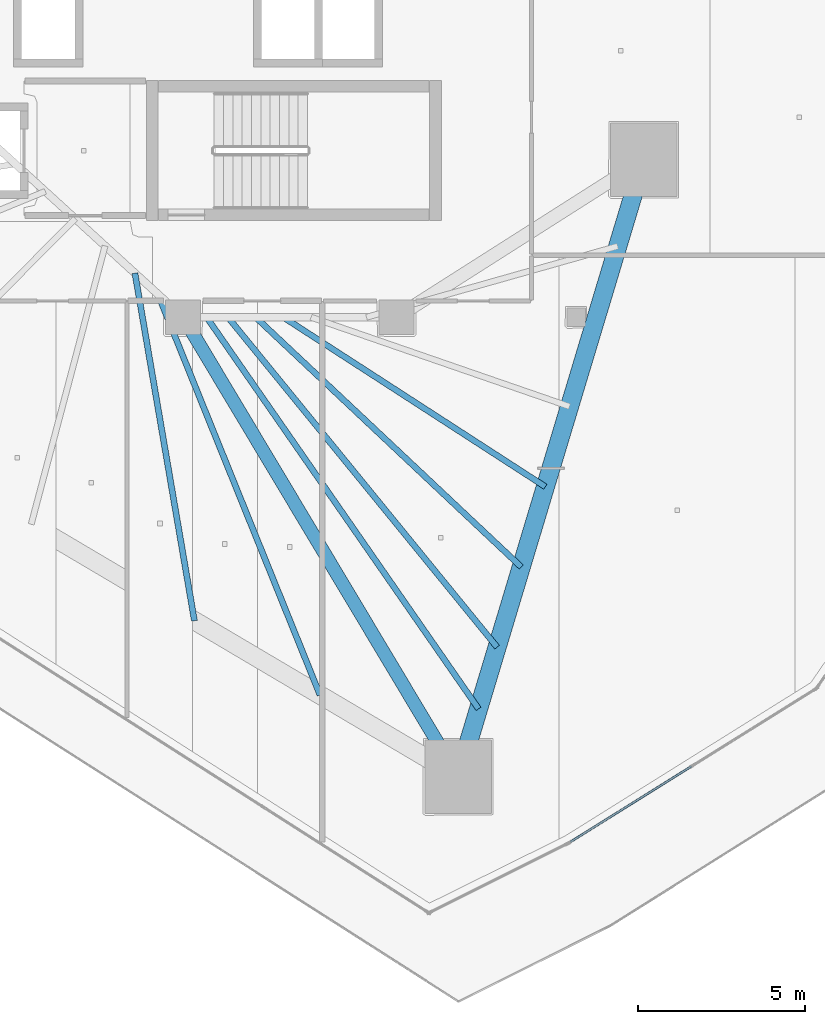
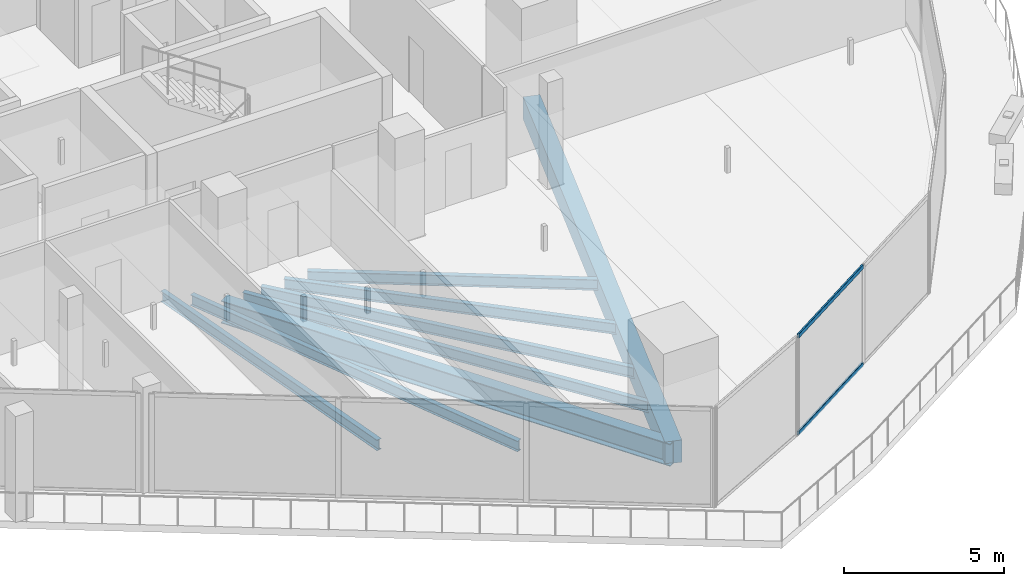
# One storey, part 9 of 39: 8 beams, 2 members, 1 element without a shape of its own.
"""IFC4 building model written with IfcOpenShell, lengths in metres."""

from ifc_helpers import new_model, si_unit, direction, frame, origin, origin_2d, place, context, subcontext, project, spatial, rectangle, hollow_rectangle, i_section, extrude, material, layer, layer_set, material_profile, profile_set, type_object, element, aggregate, save


model = new_model("IFC4")

# Units and contexts
model_context = context("Model", 3, precision=1e-05, world=origin(), true_north=direction((0.0, 1.0)))
body_context = subcontext(model_context, "Body", "Model", "MODEL_VIEW")
ifc_project = project(units=[si_unit("LENGTHUNIT", "METRE"), si_unit("AREAUNIT", "SQUARE_METRE"), si_unit("VOLUMEUNIT", "CUBIC_METRE"), si_unit("PLANEANGLEUNIT", "RADIAN"), si_unit("MASSUNIT", "GRAM", prefix="KILO")], contexts=[model_context])

# Site, building, storey
site_placement = place(None, origin())
site = spatial("IfcSite", under=ifc_project, at=site_placement, CompositionType="ELEMENT")
building_placement = place(site_placement, origin())
building = spatial("IfcBuilding", under=site, at=building_placement, Name="Qorvath Tower", CompositionType="ELEMENT")
storey_placement = place(building_placement, frame((0.0, 0.0, 162.449951171875)))
storey = spatial("IfcBuildingStorey", under=building, at=storey_placement, Name="L37", CompositionType="ELEMENT", Elevation=162.449951171875)

# Beams
ifc_material_1 = material(Name="Steel ASTM A992 Grade 50", Category="steel")
ifc_material_profile_1 = material_profile(ifc_material_1, i_section(OverallWidth=0.39892578125, OverallDepth=0.85498046875, WebThickness=0.018310546875, FlangeThickness=0.029296875, FilletRadius=0.02001953125, at=origin_2d()), Name="W33x201")
ifc_profile_set_1 = profile_set([ifc_material_profile_1], Name="Steel ASTM A992 Grade 50")
beam_type_1 = type_object("IfcBeamType", Name="BM-FG2", PredefinedType="BEAM", material=ifc_profile_set_1)
beam_1_placement = place(storey_placement, frame((-23.60009765625, -11.449951171875, -0.697509765625), z_axis=(0.513497213955, -0.85809126045, 0.0), x_axis=(0.85809126045, 0.513497213955, 0.0)))
element("IfcBeam", 1, at=beam_1_placement, inside=storey, type_object=beam_type_1, Name="Radial Floor Girder CC4-MC3 L37", PredefinedType="BEAM", context=body_context, shape_type="SweptSolid", body=[
    extrude(i_section(OverallWidth=0.39892578125, OverallDepth=0.85498046875, WebThickness=0.018310546875, FlangeThickness=0.029296875, FilletRadius=0.02001953125, at=origin_2d()), origin(), (0.0, 0.0, 1.0), 16.07763671875),
])
ifc_material_2 = material(Name="Steel ASTM A992 Grade 50", Category="steel")
ifc_material_profile_2 = material_profile(ifc_material_2, i_section(OverallWidth=0.177978515625, OverallDepth=0.406005859375, WebThickness=0.0078125, FlangeThickness=0.0126953125, FilletRadius=0.010986328125, at=origin_2d()), Name="W16x40")
ifc_profile_set_2 = profile_set([ifc_material_profile_2], Name="Steel ASTM A992 Grade 50")
beam_type_2 = type_object("IfcBeamType", Name="BM-FJ3", PredefinedType="JOIST", material=ifc_profile_set_2)
beam_2_placement = place(storey_placement, frame((-20.592041015625, -11.449951171875, -0.47314453125), z_axis=(0.839630966809, -0.543157288062, 0.0), x_axis=(0.543157288062, 0.839630966809, 0.0)))
element("IfcBeam", 2, at=beam_2_placement, inside=storey, type_object=beam_type_2, Name="Composite Floor Joist SE4 L37", PredefinedType="JOIST", context=body_context, shape_type="SweptSolid", body=[
    extrude(i_section(OverallWidth=0.177978515625, OverallDepth=0.406005859375, WebThickness=0.0078125, FlangeThickness=0.0126953125, FilletRadius=0.010986328125, at=origin_2d()), origin(), (0.0, 0.0, 1.0), 9.370361328125),
])
beam_3_placement = place(storey_placement, frame((-21.424072265625, -11.449951171875, -0.47314453125), z_axis=(0.728572459091, -0.684968737866, 0.0), x_axis=(0.684968737866, 0.728572459091, 0.0)))
element("IfcBeam", 3, at=beam_3_placement, inside=storey, type_object=beam_type_2, Name="Composite Floor Joist SE5 L37", PredefinedType="JOIST", context=body_context, shape_type="SweptSolid", body=[
    extrude(i_section(OverallWidth=0.177978515625, OverallDepth=0.406005859375, WebThickness=0.0078125, FlangeThickness=0.0126953125, FilletRadius=0.010986328125, at=origin_2d()), origin(), (0.0, 0.0, 1.0), 10.9462890625),
])
beam_4_placement = place(storey_placement, frame((-22.256103515625, -11.449951171875, -0.47314453125), z_axis=(0.632187975212, -0.774815051478, 0.0), x_axis=(0.774815051478, 0.632187975212, 0.0)))
element("IfcBeam", 4, at=beam_4_placement, inside=storey, type_object=beam_type_2, Name="Composite Floor Joist SE6 L37", PredefinedType="JOIST", context=body_context, shape_type="SweptSolid", body=[
    extrude(i_section(OverallWidth=0.177978515625, OverallDepth=0.406005859375, WebThickness=0.0078125, FlangeThickness=0.0126953125, FilletRadius=0.010986328125, at=origin_2d()), origin(), (0.0, 0.0, 1.0), 12.784912109375),
])
beam_5_placement = place(storey_placement, frame((-22.89599609375, -11.449951171875, -0.47314453125), z_axis=(0.570366725248, -0.821390162304, 0.0), x_axis=(0.821390162304, 0.570366725248, 0.0)))
element("IfcBeam", 5, at=beam_5_placement, inside=storey, type_object=beam_type_2, Name="Composite Floor Joist SE7 L37", PredefinedType="JOIST", context=body_context, shape_type="SweptSolid", body=[
    extrude(i_section(OverallWidth=0.177978515625, OverallDepth=0.406005859375, WebThickness=0.0078125, FlangeThickness=0.0126953125, FilletRadius=0.010986328125, at=origin_2d()), origin(), (0.0, 0.0, 1.0), 14.3154296875),
])
beam_6_placement = place(storey_placement, frame((-25.049072265625, -10.126953125, -0.47314453125), z_axis=(0.168745594245, -0.985659639238, 0.0), x_axis=(0.985659639238, 0.168745594245, 0.0)))
element("IfcBeam", 6, at=beam_6_placement, inside=storey, type_object=beam_type_2, Name="Composite Floor Joist SW6 L37", PredefinedType="JOIST", context=body_context, shape_type="SweptSolid", body=[
    extrude(i_section(OverallWidth=0.177978515625, OverallDepth=0.406005859375, WebThickness=0.0078125, FlangeThickness=0.0126953125, FilletRadius=0.010986328125, at=origin_2d()), origin(), (0.0, 0.0, 1.0), 10.589111328125),
])
beam_7_placement = place(storey_placement, frame((-24.35888671875, -10.757080078125, -0.47314453125), z_axis=(0.37487652097, -0.927074751045, 0.0), x_axis=(0.927074751045, 0.37487652097, 0.0)))
element("IfcBeam", 7, at=beam_7_placement, inside=storey, type_object=beam_type_2, Name="Composite Floor Joist SW7 L37", PredefinedType="JOIST", context=body_context, shape_type="SweptSolid", body=[
    extrude(i_section(OverallWidth=0.177978515625, OverallDepth=0.406005859375, WebThickness=0.0078125, FlangeThickness=0.0126953125, FilletRadius=0.010986328125, at=origin_2d()), origin(), (0.0, 0.0, 1.0), 12.9833984375),
])
ifc_material_3 = material(Name="Concrete C50/60", Category="concrete")
ifc_material_profile_3 = material_profile(ifc_material_3, rectangle(XDim=0.550048828125, YDim=0.85009765625, at=origin_2d()), Name="RCB 850x550")
ifc_profile_set_3 = profile_set([ifc_material_profile_3], Name="Concrete C50/60")
beam_type_3 = type_object("IfcBeamType", Name="BM-RCB2", PredefinedType="SPANDREL", material=ifc_profile_set_3)
beam_8_placement = place(storey_placement, frame((-15.34423828125, -25.24609375, -0.695068359375), z_axis=(0.288133952099, 0.957590113591, 0.0), x_axis=(-0.957590113591, 0.288133952099, 0.0)))
element("IfcBeam", 8, at=beam_8_placement, inside=storey, type_object=beam_type_3, Name="Perimeter Loggia Frame Beam MC3-MC4 L37", PredefinedType="SPANDREL", context=body_context, shape_type="SweptSolid", body=[
    extrude(rectangle(XDim=0.550048828125, YDim=0.85009765625, at=origin_2d()), origin(), (0.0, 0.0, 1.0), 19.344970703125),
])

# Curtain wall, members
ifc_material_4 = material(Name="Anodised aluminium and triple low-E glass", Category="aluminium")
ifc_layer = layer(ifc_material_4, 0.179931640625)
ifc_layer_set = layer_set([ifc_layer], Name="CW-SYS-3")
curtain_wall_type = type_object("IfcCurtainWallType", Name="CW-SYS-3", PredefinedType="NOTDEFINED", material=ifc_layer_set)
curtain_wall_placement = place(storey_placement, origin())
curtain_wall = element("IfcCurtainWall", 9, at=curtain_wall_placement, inside=storey, type_object=curtain_wall_type, Name="Curtain Wall CW-3 CW-T-L37-4.1", PredefinedType="NOTDEFINED")
ifc_material_5 = material(Name="Anodised aluminium 6063-T6", Category="aluminium")
ifc_material_profile_4 = material_profile(ifc_material_5, hollow_rectangle(XDim=0.06494140625, YDim=0.159912109375, WallThickness=0.00341796875, InnerFilletRadius=0.00341796875, OuterFilletRadius=0.007080078125, at=origin_2d()), Name="CWT 160x65")
ifc_profile_set_4 = profile_set([ifc_material_profile_4], Name="Anodised aluminium 6063-T6")
member_type = type_object("IfcMemberType", Name="CWT-160", PredefinedType="USERDEFINED", material=ifc_profile_set_4)
member_1_placement = place(storey_placement, frame((-11.975830078125, -27.205078125, 0.032470703125), z_axis=(0.84836895075, 0.529405443307, 0.0), x_axis=(-0.529405443307, 0.84836895075, 0.0)))
member_1 = element("IfcMember", 10, at=member_1_placement, type_object=member_type, Name="CW-3 transom 1.1", ObjectType="TRANSOM", PredefinedType="USERDEFINED", context=body_context, shape_type="SweptSolid", body=[
    extrude(hollow_rectangle(XDim=0.06494140625, YDim=0.159912109375, WallThickness=0.00341796875, InnerFilletRadius=0.00341796875, OuterFilletRadius=0.007080078125, at=origin_2d()), origin(), (0.0, 0.0, 1.0), 4.290283203125),
])
member_2_placement = place(storey_placement, frame((-11.975830078125, -27.205078125, 3.74755859375), z_axis=(0.84836895075, 0.529405443307, 0.0), x_axis=(-0.529405443307, 0.84836895075, 0.0)))
member_2 = element("IfcMember", 11, at=member_2_placement, type_object=member_type, Name="CW-3 transom 1.2", ObjectType="TRANSOM", PredefinedType="USERDEFINED", context=body_context, shape_type="SweptSolid", body=[
    extrude(hollow_rectangle(XDim=0.06494140625, YDim=0.159912109375, WallThickness=0.00341796875, InnerFilletRadius=0.00341796875, OuterFilletRadius=0.007080078125, at=origin_2d()), origin(), (0.0, 0.0, 1.0), 4.290283203125),
])
aggregate(curtain_wall, [member_1, member_2])

save(model, "model.ifc")
